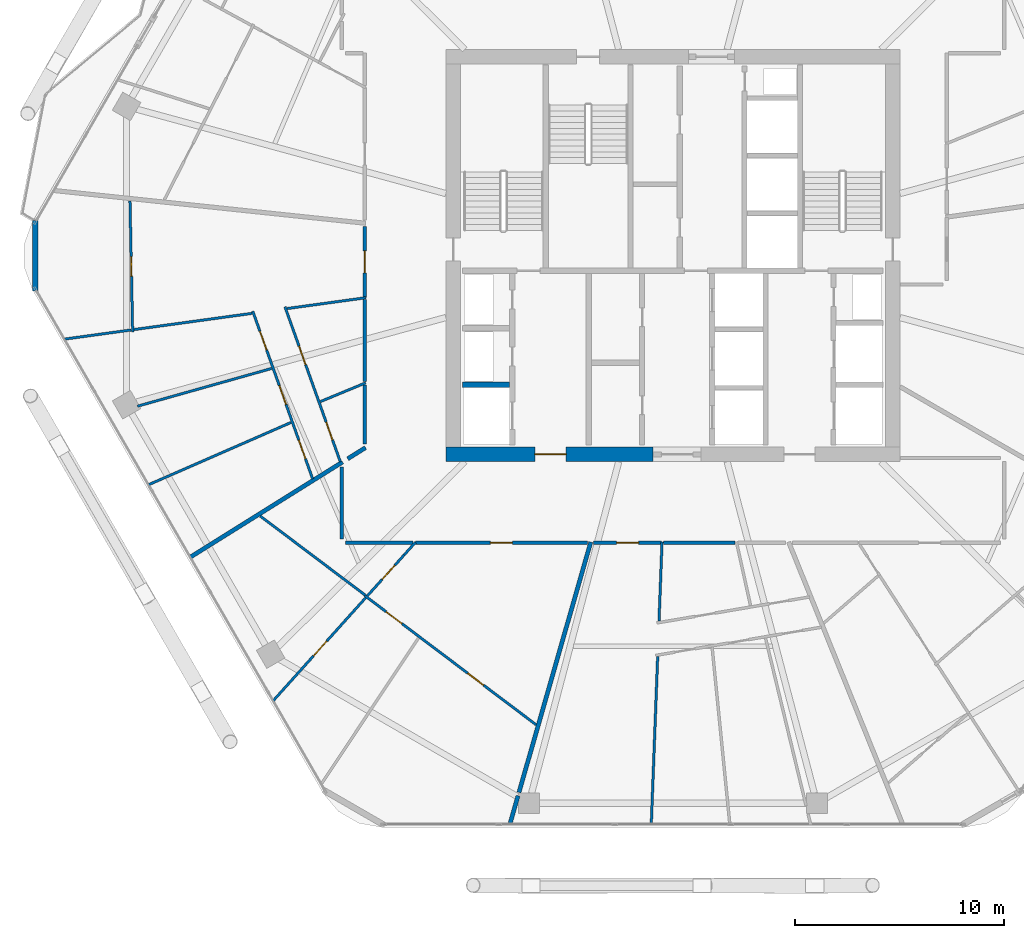
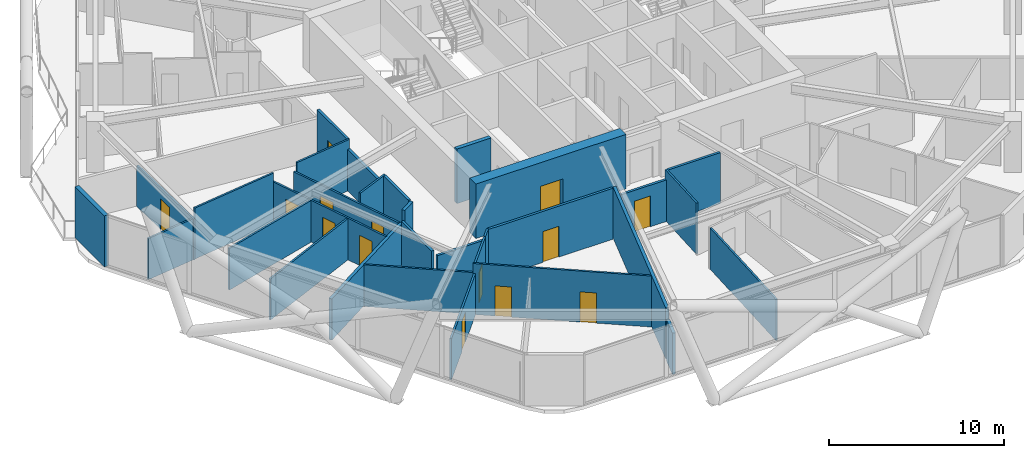
# One storey, part 20 of 28: 31 walls, 14 doors, 14 openings.
"""IFC4 building model written with IfcOpenShell, lengths in metres."""

from ifc_helpers import new_model, si_unit, direction, frame, frame_2d, origin, place, context, subcontext, project, spatial, rectangle, extrude, material, layer, layer_set, type_object, element, fill, save


model = new_model("IFC4")

# Units and contexts
model_context = context("Model", 3, precision=1e-05, world=origin(), true_north=direction((0.0, 1.0)))
body_context = subcontext(model_context, "Body", "Model", "MODEL_VIEW")
ifc_project = project(units=[si_unit("LENGTHUNIT", "METRE"), si_unit("AREAUNIT", "SQUARE_METRE"), si_unit("VOLUMEUNIT", "CUBIC_METRE"), si_unit("PLANEANGLEUNIT", "RADIAN"), si_unit("MASSUNIT", "GRAM", prefix="KILO")], contexts=[model_context])

# Site, building, storey
site_placement = place(None, origin())
site = spatial("IfcSite", under=ifc_project, at=site_placement, CompositionType="ELEMENT")
building_placement = place(site_placement, origin())
building = spatial("IfcBuilding", under=site, at=building_placement, Name="Zuhravey Tower", CompositionType="ELEMENT")
storey_placement = place(building_placement, frame((0.0, 0.0, 154.199951171875)))
storey = spatial("IfcBuildingStorey", under=building, at=storey_placement, Name="L38", CompositionType="ELEMENT", Elevation=154.199951171875)

# Wall, opening, door
ifc_material_1 = material(Name="Concrete C60/75", Category="concrete")
ifc_layer_1 = layer(ifc_material_1, 0.699951171875)
ifc_layer_set_1 = layer_set([ifc_layer_1], Name="Concrete C60/75")
wall_type_1 = type_object("IfcWallType", Name="Core Shear Wall 700", PredefinedType="SHEAR", material=ifc_layer_set_1)
wall_1_placement = place(storey_placement, frame((25.14990234375, 22.5, 0.0), z_axis=(0.0, 0.0, 1.0), x_axis=(1.0, 0.0, 0.0)))
wall_1 = element("IfcWall", 1, at=wall_1_placement, inside=storey, type_object=wall_type_1, Name="L38 South-West Core Shear Wall CW70", PredefinedType="SHEAR", context=body_context, shape_type="SweptSolid", body=[
    extrude(rectangle(XDim=9.900146484375, YDim=0.699951171875, at=frame_2d((4.9501953125, 0.0))), origin(), (0.0, 0.0, 1.0), 3.800048828125),
])
opening_1_placement = place(wall_1_placement, frame((4.25, 0.0, 0.0)))
opening_1 = element("IfcOpeningElement", 2, at=opening_1_placement, cuts=wall_1, Name="Opening FFD1", PredefinedType="OPENING", context=body_context, shape_type="SweptSolid", body=[
    extrude(rectangle(XDim=1.5, YDim=2.14990234375, at=frame_2d((0.75, 1.074951171875))), frame((0.0, 0.362060546875, 0.0), z_axis=(0.0, -1.0, 0.0), x_axis=(1.0, 0.0, 0.0)), (0.0, 0.0, 1.0), 0.723876953125),
])
ifc_material_2 = material(Name="Galvanised fire-rated steel leaf", Category="steel")
door_type_1 = type_object("IfcDoorType", Name="Firefighting Lobby Double Door 1500x2150", OperationType="DOUBLE_DOOR_SINGLE_SWING", PredefinedType="DOOR", material=ifc_material_2)
door_1_placement = place(opening_1_placement, origin())
door_1 = element("IfcDoor", 3, at=door_1_placement, inside=storey, type_object=door_type_1, Name="L38 Firefighting Lobby West Door", OperationType="DOUBLE_DOOR_SINGLE_SWING", OverallHeight=2.14990234375, OverallWidth=1.5, PredefinedType="DOOR", context=body_context, shape_type="SweptSolid", body=[
    extrude(rectangle(XDim=1.5, YDim=2.14990234375, at=frame_2d((0.75, 1.074951171875))), frame((0.0, 0.02490234375, 0.0), z_axis=(0.0, -1.0, 0.0), x_axis=(1.0, 0.0, 0.0)), (0.0, 0.0, 1.0), 0.050048828125),
])
fill(opening_1, door_1)

ifc_material_3 = material(Name="Gypsum fire-rated stud partition")
ifc_layer_2 = layer(ifc_material_3, 0.159912109375)
ifc_layer_set_2 = layer_set([ifc_layer_2], Name="Gypsum fire-rated stud partition")
wall_type_2 = type_object("IfcWallType", Name="Corridor Fire Partition 160", PredefinedType="PARTITIONING", material=ifc_layer_set_2)
wall_2_placement = place(storey_placement, frame((21.27001953125, 33.398193359375, 0.0), z_axis=(0.0, 0.0, 1.0), x_axis=(0.0, -1.0, 0.0)))
wall_2 = element("IfcWall", 4, at=wall_2_placement, inside=storey, type_object=wall_type_2, Name="L38 IW16 Partition 041", PredefinedType="PARTITIONING", context=body_context, shape_type="SweptSolid", body=[
    extrude(rectangle(XDim=3.40087890625, YDim=0.159912109375, at=frame_2d((1.700439453125, 0.0))), origin(), (0.0, 0.0, 1.0), 3.550048828125),
])
opening_2_placement = place(wall_2_placement, frame((1.175537109375, 0.0, 0.0)))
opening_2 = element("IfcOpeningElement", 5, at=opening_2_placement, cuts=wall_2, Name="Opening APD1", PredefinedType="OPENING", context=body_context, shape_type="SweptSolid", body=[
    extrude(rectangle(XDim=1.050048828125, YDim=2.14990234375, at=frame_2d((0.52490234375, 1.074951171875))), frame((0.0, 0.092041015625, 0.0), z_axis=(0.0, -1.0, 0.0), x_axis=(1.0, 0.0, 0.0)), (0.0, 0.0, 1.0), 0.183837890625),
])
ifc_material_4 = material(Name="Solid-core oak fire-rated leaf")
door_type_2 = type_object("IfcDoorType", Name="Apartment Entrance Fire Door 1050x2150", OperationType="NOTDEFINED", PredefinedType="DOOR", material=ifc_material_4)
door_2_placement = place(opening_2_placement, frame((1.050048828125, 0.0, 0.0), z_axis=(0.0, 0.0, 1.0), x_axis=(-1.0, 0.0, 0.0)))
door_2 = element("IfcDoor", 6, at=door_2_placement, inside=storey, type_object=door_type_2, Name="L38 Door 041.1", OperationType="SINGLE_SWING_RIGHT", OverallHeight=2.14990234375, OverallWidth=1.050048828125, PredefinedType="DOOR", context=body_context, shape_type="SweptSolid", body=[
    extrude(rectangle(XDim=1.050048828125, YDim=2.14990234375, at=frame_2d((0.52490234375, 1.074951171875))), frame((0.0, 0.02490234375, 0.0), z_axis=(0.0, -1.0, 0.0), x_axis=(1.0, 0.0, 0.0)), (0.0, 0.0, 1.0), 0.050048828125),
])
fill(opening_2, door_2)

wall_3_placement = place(storey_placement, frame((23.698974609375, 18.27001953125, 0.0), z_axis=(0.0, 0.0, 1.0), x_axis=(1.0, 0.0, 0.0)))
wall_3 = element("IfcWall", 7, at=wall_3_placement, inside=storey, type_object=wall_type_2, Name="L38 IW16 Partition 045", PredefinedType="PARTITIONING", context=body_context, shape_type="SweptSolid", body=[
    extrude(rectangle(XDim=8.213134765625, YDim=0.159912109375, at=frame_2d((4.1064453125, 0.0))), origin(), (0.0, 0.0, 1.0), 3.550048828125),
])
opening_3_placement = place(wall_3_placement, frame((3.58154296875, 0.0, 0.0)))
opening_3 = element("IfcOpeningElement", 8, at=opening_3_placement, cuts=wall_3, Name="Opening APD1", PredefinedType="OPENING", context=body_context, shape_type="SweptSolid", body=[
    extrude(rectangle(XDim=1.050048828125, YDim=2.14990234375, at=frame_2d((0.52490234375, 1.074951171875))), frame((0.0, 0.092041015625, 0.0), z_axis=(0.0, -1.0, 0.0), x_axis=(1.0, 0.0, 0.0)), (0.0, 0.0, 1.0), 0.183837890625),
])
door_3_placement = place(opening_3_placement, frame((1.050048828125, 0.0, 0.0), z_axis=(0.0, 0.0, 1.0), x_axis=(-1.0, 0.0, 0.0)))
door_3 = element("IfcDoor", 9, at=door_3_placement, inside=storey, type_object=door_type_2, Name="L38 Door 045.1", OperationType="SINGLE_SWING_LEFT", OverallHeight=2.14990234375, OverallWidth=1.050048828125, PredefinedType="DOOR", context=body_context, shape_type="SweptSolid", body=[
    extrude(rectangle(XDim=1.050048828125, YDim=2.14990234375, at=frame_2d((0.52490234375, 1.074951171875))), frame((0.0, 0.02490234375, 0.0), z_axis=(0.0, -1.0, 0.0), x_axis=(1.0, 0.0, 0.0)), (0.0, 0.0, 1.0), 0.050048828125),
])
fill(opening_3, door_3)

wall_4_placement = place(storey_placement, frame((32.213134765625, 18.27001953125, 0.0), z_axis=(0.0, 0.0, 1.0), x_axis=(1.0, 0.0, 0.0)))
wall_4 = element("IfcWall", 10, at=wall_4_placement, inside=storey, type_object=wall_type_2, Name="L38 IW16 Partition 048", PredefinedType="PARTITIONING", context=body_context, shape_type="SweptSolid", body=[
    extrude(rectangle(XDim=3.244140625, YDim=0.159912109375, at=frame_2d((1.6220703125, 0.0))), origin(), (0.0, 0.0, 1.0), 2.900146484375),
])
opening_4_placement = place(wall_4_placement, frame((1.09716796875, 0.0, 0.0)))
opening_4 = element("IfcOpeningElement", 11, at=opening_4_placement, cuts=wall_4, Name="Opening APD1", PredefinedType="OPENING", context=body_context, shape_type="SweptSolid", body=[
    extrude(rectangle(XDim=1.050048828125, YDim=2.14990234375, at=frame_2d((0.52490234375, 1.074951171875))), frame((0.0, 0.092041015625, 0.0), z_axis=(0.0, -1.0, 0.0), x_axis=(1.0, 0.0, 0.0)), (0.0, 0.0, 1.0), 0.183837890625),
])
door_4_placement = place(opening_4_placement, frame((1.050048828125, 0.0, 0.0), z_axis=(0.0, 0.0, 1.0), x_axis=(-1.0, 0.0, 0.0)))
door_4 = element("IfcDoor", 12, at=door_4_placement, inside=storey, type_object=door_type_2, Name="L38 Door 048.1", OperationType="SINGLE_SWING_LEFT", OverallHeight=2.14990234375, OverallWidth=1.050048828125, PredefinedType="DOOR", context=body_context, shape_type="SweptSolid", body=[
    extrude(rectangle(XDim=1.050048828125, YDim=2.14990234375, at=frame_2d((0.52490234375, 1.074951171875))), frame((0.0, 0.02490234375, 0.0), z_axis=(0.0, -1.0, 0.0), x_axis=(1.0, 0.0, 0.0)), (0.0, 0.0, 1.0), 0.050048828125),
])
fill(opening_4, door_4)

# Walls
wall_5_placement = place(storey_placement, frame((21.27001953125, 29.908203125, 0.0), z_axis=(0.0, 0.0, 1.0), x_axis=(0.0, -1.0, 0.0)))
element("IfcWall", 13, at=wall_5_placement, inside=storey, type_object=wall_type_2, Name="L38 IW16 Partition 123", PredefinedType="PARTITIONING", context=body_context, shape_type="SweptSolid", body=[
    extrude(rectangle(XDim=3.9365234375, YDim=0.159912109375, at=frame_2d((1.96826171875, 0.0))), origin(), (0.0, 0.0, 1.0), 2.900146484375),
])
wall_6_placement = place(storey_placement, frame((21.27001953125, 25.82470703125, 0.0), z_axis=(0.0, 0.0, 1.0), x_axis=(0.0, -1.0, 0.0)))
element("IfcWall", 14, at=wall_6_placement, inside=storey, type_object=wall_type_2, Name="L38 IW16 Partition 124", PredefinedType="PARTITIONING", context=body_context, shape_type="SweptSolid", body=[
    extrude(rectangle(XDim=2.827880859375, YDim=0.159912109375, at=frame_2d((1.4140625, 0.0))), origin(), (0.0, 0.0, 1.0), 3.550048828125),
])
wall_7_placement = place(storey_placement, frame((20.169921875, 21.8916015625, 0.0), z_axis=(0.0, 0.0, 1.0), x_axis=(0.0, -1.0, 0.0)))
element("IfcWall", 15, at=wall_7_placement, inside=storey, type_object=wall_type_2, Name="L38 IW16 Partition 125", PredefinedType="PARTITIONING", context=body_context, shape_type="SweptSolid", body=[
    extrude(rectangle(XDim=3.441650390625, YDim=0.159912109375, at=frame_2d((1.720703125, 0.0))), origin(), (0.0, 0.0, 1.0), 3.150146484375),
])
wall_8_placement = place(storey_placement, frame((20.35009765625, 18.27001953125, 0.0), z_axis=(0.0, 0.0, 1.0), x_axis=(1.0, 0.0, 0.0)))
element("IfcWall", 16, at=wall_8_placement, inside=storey, type_object=wall_type_2, Name="L38 IW16 Partition 126", PredefinedType="PARTITIONING", context=body_context, shape_type="SweptSolid", body=[
    extrude(rectangle(XDim=3.230712890625, YDim=0.159912109375, at=frame_2d((1.615234375, 0.0))), origin(), (0.0, 0.0, 1.0), 2.900146484375),
])
wall_9_placement = place(storey_placement, frame((35.54541015625, 18.27001953125, 0.0), z_axis=(0.0, 0.0, 1.0), x_axis=(1.0, 0.0, 0.0)))
element("IfcWall", 17, at=wall_9_placement, inside=storey, type_object=wall_type_2, Name="L38 IW16 Partition 127", PredefinedType="PARTITIONING", context=body_context, shape_type="SweptSolid", body=[
    extrude(rectangle(XDim=3.42919921875, YDim=0.159912109375, at=frame_2d((1.714599609375, 0.0))), origin(), (0.0, 0.0, 1.0), 3.550048828125),
])
ifc_material_5 = material(Name="Precast concrete C40/50", Category="concrete")
ifc_layer_3 = layer(ifc_material_5, 0.280029296875)
ifc_layer_set_3 = layer_set([ifc_layer_3], Name="Precast concrete C40/50")
wall_type_3 = type_object("IfcWallType", Name="Crown Architectural Wall 280", PredefinedType="SOLIDWALL", material=ifc_layer_set_3)
wall_10_placement = place(storey_placement, frame((5.5283203125, 30.3173828125, 0.0), z_axis=(0.0, 0.0, 1.0), x_axis=(0.0, 1.0, 0.0)))
element("IfcWall", 18, at=wall_10_placement, inside=storey, type_object=wall_type_3, Name="L38 Rounded Corner Closure Wall EW28-06", PredefinedType="SOLIDWALL", context=body_context, shape_type="SweptSolid", body=[
    extrude(rectangle(XDim=3.365234375, YDim=0.280029296875, at=frame_2d((1.6826171875, 0.0))), origin(), (0.0, 0.0, 1.0), 3.550048828125),
])
ifc_material_6 = material(Name="Concrete C50/60", Category="concrete")
ifc_layer_4 = layer(ifc_material_6, 0.25)
ifc_layer_set_4 = layer_set([ifc_layer_4], Name="Concrete C50/60")
wall_type_4 = type_object("IfcWallType", Name="Firefighting Shaft & Stair Wall 250", PredefinedType="SOLIDWALL", material=ifc_layer_set_4)
wall_11_placement = place(storey_placement, frame((25.949951171875, 25.824951171875, 0.0), z_axis=(0.0, 0.0, 1.0), x_axis=(1.0, 0.0, 0.0)))
element("IfcWall", 19, at=wall_11_placement, inside=storey, type_object=wall_type_4, Name="L38 FW25 Shaft Wall 009", PredefinedType="SOLIDWALL", context=body_context, shape_type="SweptSolid", body=[
    extrude(rectangle(XDim=2.25, YDim=0.25, at=frame_2d((1.125, 0.0))), origin(), (0.0, 0.0, 1.0), 3.800048828125),
])
ifc_material_7 = material(Name="Gypsum double-stud party assembly")
ifc_layer_5 = layer(ifc_material_7, 0.199951171875)
ifc_layer_set_5 = layer_set([ifc_layer_5], Name="Gypsum double-stud party assembly")
wall_type_5 = type_object("IfcWallType", Name="Inter-Tenancy Party Wall 200", PredefinedType="PARTITIONING", material=ifc_layer_set_5)
wall_12_placement = place(storey_placement, frame((21.31005859375, 22.82080078125, 0.0), z_axis=(0.0, 0.0, 1.0), x_axis=(-0.848039384523, -0.529933205506, 0.0)))
element("IfcWall", 20, at=wall_12_placement, inside=storey, type_object=wall_type_5, Name="L38 IW20 Partition 092", PredefinedType="PARTITIONING", context=body_context, shape_type="SweptSolid", body=[
    extrude(rectangle(XDim=1.00146484375, YDim=0.199951171875, at=frame_2d((0.500732421875, 0.0))), origin(), (0.0, 0.0, 1.0), 3.550048828125),
])
wall_13_placement = place(storey_placement, frame((20.2099609375, 22.13330078125, 0.0), z_axis=(0.0, 0.0, 1.0), x_axis=(-0.848051050333, -0.529914536534, 0.0)))
element("IfcWall", 21, at=wall_13_placement, inside=storey, type_object=wall_type_5, Name="L38 IW20 Partition 093", PredefinedType="PARTITIONING", context=body_context, shape_type="SweptSolid", body=[
    extrude(rectangle(XDim=8.580322265625, YDim=0.199951171875, at=frame_2d((4.2900390625, 0.0))), origin(), (0.0, 0.0, 1.0), 2.8701171875),
])
wall_14_placement = place(storey_placement, frame((32.074462890625, 18.31005859375, 0.0), z_axis=(0.0, 0.0, 1.0), x_axis=(-0.275640788156, -0.961260711724, 0.0)))
element("IfcWall", 22, at=wall_14_placement, inside=storey, type_object=wall_type_5, Name="L38 IW20 Partition 097", PredefinedType="PARTITIONING", context=body_context, shape_type="SweptSolid", body=[
    extrude(rectangle(XDim=12.4453125, YDim=0.199951171875, at=frame_2d((6.22265625, 0.0))), origin(), (0.0, 0.0, 1.0), 3.550048828125),
])
wall_15_placement = place(storey_placement, frame((28.597900390625, 6.186279296875, 0.0), z_axis=(0.0, 0.0, 1.0), x_axis=(-0.275581158173, -0.961277808576, 0.0)))
element("IfcWall", 23, at=wall_15_placement, inside=storey, type_object=wall_type_5, Name="L38 IW20 Partition 098", PredefinedType="PARTITIONING", context=body_context, shape_type="SweptSolid", body=[
    extrude(rectangle(XDim=1.424560546875, YDim=0.199951171875, at=frame_2d((0.71240234375, 0.0))), origin(), (0.0, 0.0, 1.0), 2.8701171875),
])

# Wall, opening, door
ifc_material_8 = material(Name="Gypsum metal-stud partition")
ifc_layer_6 = layer(ifc_material_8, 0.1201171875)
ifc_layer_set_6 = layer_set([ifc_layer_6], Name="Gypsum metal-stud partition")
wall_type_6 = type_object("IfcWallType", Name="Unit Internal Partition 120", PredefinedType="PARTITIONING", material=ifc_layer_set_6)
wall_16_placement = place(storey_placement, frame((10.05419921875, 34.598876953125, 0.0), z_axis=(0.0, 0.0, 1.0), x_axis=(0.020243671552, -0.999795075884, 0.0)))
wall_16 = element("IfcWall", 24, at=wall_16_placement, inside=storey, type_object=wall_type_6, Name="L38 IW12 Partition 038", PredefinedType="PARTITIONING", context=body_context, shape_type="SweptSolid", body=[
    extrude(rectangle(XDim=6.2470703125, YDim=0.1201171875, at=frame_2d((3.12353515625, 0.0))), origin(), (0.0, 0.0, 1.0), 2.8701171875),
])
opening_5_placement = place(wall_16_placement, frame((2.6484375, 0.0, 0.0)))
opening_5 = element("IfcOpeningElement", 25, at=opening_5_placement, cuts=wall_16, Name="Opening IND1", PredefinedType="OPENING", context=body_context, shape_type="SweptSolid", body=[
    extrude(rectangle(XDim=0.949951171875, YDim=2.10009765625, at=frame_2d((0.47509765625, 1.050048828125))), frame((0.0, 0.072021484375, 0.0), z_axis=(0.0, -1.0, 0.0), x_axis=(1.0, 0.0, 0.0)), (0.0, 0.0, 1.0), 0.14404296875),
])
ifc_material_9 = material(Name="Painted engineered timber leaf", Category="wood")
door_type_3 = type_object("IfcDoorType", Name="Internal Room & Bedroom Door 950x2100", OperationType="NOTDEFINED", PredefinedType="DOOR", material=ifc_material_9)
door_5_placement = place(opening_5_placement, frame((0.949951171875, 0.0, 0.0), z_axis=(0.0, 0.0, 1.0), x_axis=(-1.0, 0.0, 0.0)))
door_5 = element("IfcDoor", 26, at=door_5_placement, inside=storey, type_object=door_type_3, Name="Apartment L38-05 Family Study Door", OperationType="SINGLE_SWING_RIGHT", OverallHeight=2.10009765625, OverallWidth=0.949951171875, PredefinedType="DOOR", context=body_context, shape_type="SweptSolid", body=[
    extrude(rectangle(XDim=0.949951171875, YDim=2.10009765625, at=frame_2d((0.47509765625, 1.050048828125))), frame((0.0, 0.02490234375, 0.0), z_axis=(0.0, -1.0, 0.0), x_axis=(1.0, 0.0, 0.0)), (0.0, 0.0, 1.0), 0.050048828125),
])
fill(opening_5, door_5)

# Wall, openings, doors
wall_17_placement = place(storey_placement, frame((17.459716796875, 29.5546875, 0.0), z_axis=(0.0, 0.0, 1.0), x_axis=(0.336444483984, -0.941703302106, 0.0)))
wall_17 = element("IfcWall", 27, at=wall_17_placement, inside=storey, type_object=wall_type_6, Name="L38 IW12 Partition 039", PredefinedType="PARTITIONING", context=body_context, shape_type="SweptSolid", body=[
    extrude(rectangle(XDim=7.86962890625, YDim=0.1201171875, at=frame_2d((3.934814453125, 0.0))), origin(), (0.0, 0.0, 1.0), 2.900146484375),
])
opening_6_placement = place(wall_17_placement, frame((1.997314453125, 0.0, 0.0)))
opening_6 = element("IfcOpeningElement", 28, at=opening_6_placement, cuts=wall_17, Name="Opening IND1", PredefinedType="OPENING", context=body_context, shape_type="SweptSolid", body=[
    extrude(rectangle(XDim=0.949951171875, YDim=2.10009765625, at=frame_2d((0.47509765625, 1.050048828125))), frame((0.0, 0.072021484375, 0.0), z_axis=(0.0, -1.0, 0.0), x_axis=(1.0, 0.0, 0.0)), (0.0, 0.0, 1.0), 0.14404296875),
])
opening_7_placement = place(wall_17_placement, frame((5.854736328125, 0.0, 0.0)))
opening_7 = element("IfcOpeningElement", 29, at=opening_7_placement, cuts=wall_17, Name="Opening WCD1", PredefinedType="OPENING", context=body_context, shape_type="SweptSolid", body=[
    extrude(rectangle(XDim=0.89990234375, YDim=2.10009765625, at=frame_2d((0.449951171875, 1.050048828125))), frame((0.0, 0.072021484375, 0.0), z_axis=(0.0, -1.0, 0.0), x_axis=(1.0, 0.0, 0.0)), (0.0, 0.0, 1.0), 0.14404296875),
])
ifc_material_10 = material(Name="Moisture-resistant timber leaf", Category="wood")
door_type_4 = type_object("IfcDoorType", Name="Bathroom & WC Internal Door 900x2100", OperationType="NOTDEFINED", PredefinedType="DOOR", material=ifc_material_10)
door_6_placement = place(opening_7_placement, origin())
door_6 = element("IfcDoor", 30, at=door_6_placement, inside=storey, type_object=door_type_4, Name="Apartment L38-05 Bathroom Door", OperationType="SINGLE_SWING_RIGHT", OverallHeight=2.10009765625, OverallWidth=0.89990234375, PredefinedType="DOOR", context=body_context, shape_type="SweptSolid", body=[
    extrude(rectangle(XDim=0.89990234375, YDim=2.10009765625, at=frame_2d((0.449951171875, 1.050048828125))), frame((0.0, 0.02490234375, 0.0), z_axis=(0.0, -1.0, 0.0), x_axis=(1.0, 0.0, 0.0)), (0.0, 0.0, 1.0), 0.050048828125),
])
fill(opening_7, door_6)
door_7_placement = place(opening_6_placement, origin())
door_7 = element("IfcDoor", 31, at=door_7_placement, inside=storey, type_object=door_type_3, Name="Apartment L38-05 Kitchen Door", OperationType="SINGLE_SWING_LEFT", OverallHeight=2.10009765625, OverallWidth=0.949951171875, PredefinedType="DOOR", context=body_context, shape_type="SweptSolid", body=[
    extrude(rectangle(XDim=0.949951171875, YDim=2.10009765625, at=frame_2d((0.47509765625, 1.050048828125))), frame((0.0, 0.02490234375, 0.0), z_axis=(0.0, -1.0, 0.0), x_axis=(1.0, 0.0, 0.0)), (0.0, 0.0, 1.0), 0.050048828125),
])
fill(opening_6, door_7)

wall_18_placement = place(storey_placement, frame((15.921142578125, 29.34326171875, 0.0), z_axis=(0.0, 0.0, 1.0), x_axis=(0.336440023532, -0.941704895689, 0.0)))
wall_18 = element("IfcWall", 32, at=wall_18_placement, inside=storey, type_object=wall_type_6, Name="L38 IW12 Partition 040", PredefinedType="PARTITIONING", context=body_context, shape_type="SweptSolid", body=[
    extrude(rectangle(XDim=8.5068359375, YDim=0.1201171875, at=frame_2d((4.25341796875, 0.0))), origin(), (0.0, 0.0, 1.0), 2.900146484375),
])
opening_8_placement = place(wall_18_placement, frame((1.0185546875, 0.0, 0.0)))
opening_8 = element("IfcOpeningElement", 33, at=opening_8_placement, cuts=wall_18, Name="Opening IND1", PredefinedType="OPENING", context=body_context, shape_type="SweptSolid", body=[
    extrude(rectangle(XDim=0.949951171875, YDim=2.10009765625, at=frame_2d((0.47509765625, 1.050048828125))), frame((0.0, 0.072021484375, 0.0), z_axis=(0.0, -1.0, 0.0), x_axis=(1.0, 0.0, 0.0)), (0.0, 0.0, 1.0), 0.14404296875),
])
opening_9_placement = place(wall_18_placement, frame((3.778564453125, 0.0, 0.0)))
opening_9 = element("IfcOpeningElement", 34, at=opening_9_placement, cuts=wall_18, Name="Opening IND1", PredefinedType="OPENING", context=body_context, shape_type="SweptSolid", body=[
    extrude(rectangle(XDim=0.949951171875, YDim=2.10009765625, at=frame_2d((0.47509765625, 1.050048828125))), frame((0.0, 0.072021484375, 0.0), z_axis=(0.0, -1.0, 0.0), x_axis=(1.0, 0.0, 0.0)), (0.0, 0.0, 1.0), 0.14404296875),
])
opening_10_placement = place(wall_18_placement, frame((6.538330078125, 0.0, 0.0)))
opening_10 = element("IfcOpeningElement", 35, at=opening_10_placement, cuts=wall_18, Name="Opening IND1", PredefinedType="OPENING", context=body_context, shape_type="SweptSolid", body=[
    extrude(rectangle(XDim=0.949951171875, YDim=2.10009765625, at=frame_2d((0.47509765625, 1.050048828125))), frame((0.0, 0.072021484375, 0.0), z_axis=(0.0, -1.0, 0.0), x_axis=(1.0, 0.0, 0.0)), (0.0, 0.0, 1.0), 0.14404296875),
])
door_8_placement = place(opening_8_placement, frame((0.949951171875, 0.0, 0.0), z_axis=(0.0, 0.0, 1.0), x_axis=(-1.0, 0.0, 0.0)))
door_8 = element("IfcDoor", 36, at=door_8_placement, inside=storey, type_object=door_type_3, Name="Apartment L38-05 Bedroom 1 Door", OperationType="SINGLE_SWING_LEFT", OverallHeight=2.10009765625, OverallWidth=0.949951171875, PredefinedType="DOOR", context=body_context, shape_type="SweptSolid", body=[
    extrude(rectangle(XDim=0.949951171875, YDim=2.10009765625, at=frame_2d((0.47509765625, 1.050048828125))), frame((0.0, 0.02490234375, 0.0), z_axis=(0.0, -1.0, 0.0), x_axis=(1.0, 0.0, 0.0)), (0.0, 0.0, 1.0), 0.050048828125),
])
fill(opening_8, door_8)
door_9_placement = place(opening_9_placement, frame((0.949951171875, 0.0, 0.0), z_axis=(0.0, 0.0, 1.0), x_axis=(-1.0, 0.0, 0.0)))
door_9 = element("IfcDoor", 37, at=door_9_placement, inside=storey, type_object=door_type_3, Name="Apartment L38-05 Bedroom 2 Door", OperationType="SINGLE_SWING_RIGHT", OverallHeight=2.10009765625, OverallWidth=0.949951171875, PredefinedType="DOOR", context=body_context, shape_type="SweptSolid", body=[
    extrude(rectangle(XDim=0.949951171875, YDim=2.10009765625, at=frame_2d((0.47509765625, 1.050048828125))), frame((0.0, 0.02490234375, 0.0), z_axis=(0.0, -1.0, 0.0), x_axis=(1.0, 0.0, 0.0)), (0.0, 0.0, 1.0), 0.050048828125),
])
fill(opening_9, door_9)
door_10_placement = place(opening_10_placement, frame((0.949951171875, 0.0, 0.0), z_axis=(0.0, 0.0, 1.0), x_axis=(-1.0, 0.0, 0.0)))
door_10 = element("IfcDoor", 38, at=door_10_placement, inside=storey, type_object=door_type_3, Name="Apartment L38-05 Bedroom 3 Door", OperationType="SINGLE_SWING_LEFT", OverallHeight=2.10009765625, OverallWidth=0.949951171875, PredefinedType="DOOR", context=body_context, shape_type="SweptSolid", body=[
    extrude(rectangle(XDim=0.949951171875, YDim=2.10009765625, at=frame_2d((0.47509765625, 1.050048828125))), frame((0.0, 0.02490234375, 0.0), z_axis=(0.0, -1.0, 0.0), x_axis=(1.0, 0.0, 0.0)), (0.0, 0.0, 1.0), 0.050048828125),
])
fill(opening_10, door_10)

wall_19_placement = place(storey_placement, frame((21.2744140625, 15.749267578125, 0.0), z_axis=(0.0, 0.0, 1.0), x_axis=(0.798637831458, -0.601811942524, 0.0)))
wall_19 = element("IfcWall", 39, at=wall_19_placement, inside=storey, type_object=wall_type_6, Name="L38 IW12 Partition 042", PredefinedType="PARTITIONING", context=body_context, shape_type="SweptSolid", body=[
    extrude(rectangle(XDim=10.253173828125, YDim=0.1201171875, at=frame_2d((5.12646484375, 0.0))), origin(), (0.0, 0.0, 1.0), 3.550048828125),
])
opening_11_placement = place(wall_19_placement, frame((1.27685546875, 0.0, 0.0)))
opening_11 = element("IfcOpeningElement", 40, at=opening_11_placement, cuts=wall_19, Name="Opening IND1", PredefinedType="OPENING", context=body_context, shape_type="SweptSolid", body=[
    extrude(rectangle(XDim=0.949951171875, YDim=2.10009765625, at=frame_2d((0.47509765625, 1.050048828125))), frame((0.0, 0.072021484375, 0.0), z_axis=(0.0, -1.0, 0.0), x_axis=(1.0, 0.0, 0.0)), (0.0, 0.0, 1.0), 0.14404296875),
])
opening_12_placement = place(wall_19_placement, frame((6.1630859375, 0.0, 0.0)))
opening_12 = element("IfcOpeningElement", 41, at=opening_12_placement, cuts=wall_19, Name="Opening IND1", PredefinedType="OPENING", context=body_context, shape_type="SweptSolid", body=[
    extrude(rectangle(XDim=0.949951171875, YDim=2.10009765625, at=frame_2d((0.47509765625, 1.050048828125))), frame((0.0, 0.072021484375, 0.0), z_axis=(0.0, -1.0, 0.0), x_axis=(1.0, 0.0, 0.0)), (0.0, 0.0, 1.0), 0.14404296875),
])
door_11_placement = place(opening_11_placement, frame((0.949951171875, 0.0, 0.0), z_axis=(0.0, 0.0, 1.0), x_axis=(-1.0, 0.0, 0.0)))
door_11 = element("IfcDoor", 42, at=door_11_placement, inside=storey, type_object=door_type_3, Name="Apartment L38-06 Family Study Door", OperationType="SINGLE_SWING_LEFT", OverallHeight=2.10009765625, OverallWidth=0.949951171875, PredefinedType="DOOR", context=body_context, shape_type="SweptSolid", body=[
    extrude(rectangle(XDim=0.949951171875, YDim=2.10009765625, at=frame_2d((0.47509765625, 1.050048828125))), frame((0.0, 0.02490234375, 0.0), z_axis=(0.0, -1.0, 0.0), x_axis=(1.0, 0.0, 0.0)), (0.0, 0.0, 1.0), 0.050048828125),
])
fill(opening_11, door_11)
door_12_placement = place(opening_12_placement, frame((0.949951171875, 0.0, 0.0), z_axis=(0.0, 0.0, 1.0), x_axis=(-1.0, 0.0, 0.0)))
door_12 = element("IfcDoor", 43, at=door_12_placement, inside=storey, type_object=door_type_3, Name="Apartment L38-06 Dining Room Door", OperationType="SINGLE_SWING_RIGHT", OverallHeight=2.10009765625, OverallWidth=0.949951171875, PredefinedType="DOOR", context=body_context, shape_type="SweptSolid", body=[
    extrude(rectangle(XDim=0.949951171875, YDim=2.10009765625, at=frame_2d((0.47509765625, 1.050048828125))), frame((0.0, 0.02490234375, 0.0), z_axis=(0.0, -1.0, 0.0), x_axis=(1.0, 0.0, 0.0)), (0.0, 0.0, 1.0), 0.050048828125),
])
fill(opening_12, door_12)

# Wall, opening, door
wall_20_placement = place(storey_placement, frame((23.160400390625, 17.699951171875, 0.0), z_axis=(0.0, 0.0, 1.0), x_axis=(-0.668093965752, -0.744076913313, 0.0)))
wall_20 = element("IfcWall", 44, at=wall_20_placement, inside=storey, type_object=wall_type_6, Name="L38 IW12 Partition 043", PredefinedType="PARTITIONING", context=body_context, shape_type="SweptSolid", body=[
    extrude(rectangle(XDim=2.634765625, YDim=0.1201171875, at=frame_2d((1.3173828125, 0.0))), origin(), (0.0, 0.0, 1.0), 3.550048828125),
])
opening_13_placement = place(wall_20_placement, frame((0.682861328125, 0.0, 0.0)))
opening_13 = element("IfcOpeningElement", 45, at=opening_13_placement, cuts=wall_20, Name="Opening WCD1", PredefinedType="OPENING", context=body_context, shape_type="SweptSolid", body=[
    extrude(rectangle(XDim=0.89990234375, YDim=2.10009765625, at=frame_2d((0.449951171875, 1.050048828125))), frame((0.0, 0.072021484375, 0.0), z_axis=(0.0, -1.0, 0.0), x_axis=(1.0, 0.0, 0.0)), (0.0, 0.0, 1.0), 0.14404296875),
])
door_13_placement = place(opening_13_placement, frame((0.89990234375, 0.0, 0.0), z_axis=(0.0, 0.0, 1.0), x_axis=(-1.0, 0.0, 0.0)))
door_13 = element("IfcDoor", 46, at=door_13_placement, inside=storey, type_object=door_type_4, Name="Apartment L38-06 Bathroom Door", OperationType="SINGLE_SWING_LEFT", OverallHeight=2.10009765625, OverallWidth=0.89990234375, PredefinedType="DOOR", context=body_context, shape_type="SweptSolid", body=[
    extrude(rectangle(XDim=0.89990234375, YDim=2.10009765625, at=frame_2d((0.449951171875, 1.050048828125))), frame((0.0, 0.02490234375, 0.0), z_axis=(0.0, -1.0, 0.0), x_axis=(1.0, 0.0, 0.0)), (0.0, 0.0, 1.0), 0.050048828125),
])
fill(opening_13, door_13)

wall_21_placement = place(storey_placement, frame((21.30908203125, 15.63818359375, 0.0), z_axis=(0.0, 0.0, 1.0), x_axis=(-0.668094908061, -0.744076067229, 0.0)))
wall_21 = element("IfcWall", 47, at=wall_21_placement, inside=storey, type_object=wall_type_6, Name="L38 IW12 Partition 044", PredefinedType="PARTITIONING", context=body_context, shape_type="SweptSolid", body=[
    extrude(rectangle(XDim=6.609619140625, YDim=0.1201171875, at=frame_2d((3.3046875, 0.0))), origin(), (0.0, 0.0, 1.0), 2.8701171875),
])
opening_14_placement = place(wall_21_placement, frame((2.767578125, 0.0, 0.0)))
opening_14 = element("IfcOpeningElement", 48, at=opening_14_placement, cuts=wall_21, Name="Opening IND1", PredefinedType="OPENING", context=body_context, shape_type="SweptSolid", body=[
    extrude(rectangle(XDim=0.949951171875, YDim=2.10009765625, at=frame_2d((0.47509765625, 1.050048828125))), frame((0.0, 0.072021484375, 0.0), z_axis=(0.0, -1.0, 0.0), x_axis=(1.0, 0.0, 0.0)), (0.0, 0.0, 1.0), 0.14404296875),
])
door_14_placement = place(opening_14_placement, frame((0.949951171875, 0.0, 0.0), z_axis=(0.0, 0.0, 1.0), x_axis=(-1.0, 0.0, 0.0)))
door_14 = element("IfcDoor", 49, at=door_14_placement, inside=storey, type_object=door_type_3, Name="Apartment L38-06 Bedroom 1 Door", OperationType="SINGLE_SWING_RIGHT", OverallHeight=2.10009765625, OverallWidth=0.949951171875, PredefinedType="DOOR", context=body_context, shape_type="SweptSolid", body=[
    extrude(rectangle(XDim=0.949951171875, YDim=2.10009765625, at=frame_2d((0.47509765625, 1.050048828125))), frame((0.0, 0.02490234375, 0.0), z_axis=(0.0, -1.0, 0.0), x_axis=(1.0, 0.0, 0.0)), (0.0, 0.0, 1.0), 0.050048828125),
])
fill(opening_14, door_14)

# Walls
wall_22_placement = place(storey_placement, frame((21.320068359375, 25.9189453125, 0.0), z_axis=(0.0, 0.0, 1.0), x_axis=(-0.923865947443, -0.382716227975, 0.0)))
element("IfcWall", 50, at=wall_22_placement, inside=storey, type_object=wall_type_6, Name="L38 IW12 Partition 086", PredefinedType="PARTITIONING", context=body_context, shape_type="SweptSolid", body=[
    extrude(rectangle(XDim=2.346923828125, YDim=0.1201171875, at=frame_2d((1.17333984375, 0.0))), origin(), (0.0, 0.0, 1.0), 3.550048828125),
])
wall_23_placement = place(storey_placement, frame((16.826904296875, 26.60595703125, 0.0), z_axis=(0.0, 0.0, 1.0), x_axis=(-0.96262766067, -0.270828334767, 0.0)))
element("IfcWall", 51, at=wall_23_placement, inside=storey, type_object=wall_type_6, Name="L38 IW12 Partition 087", PredefinedType="PARTITIONING", context=body_context, shape_type="SweptSolid", body=[
    extrude(rectangle(XDim=6.66357421875, YDim=0.1201171875, at=frame_2d((3.331787109375, 0.0))), origin(), (0.0, 0.0, 1.0), 2.900146484375),
])
wall_24_placement = place(storey_placement, frame((17.749267578125, 24.02392578125, 0.0), z_axis=(0.0, 0.0, 1.0), x_axis=(-0.916318302779, -0.40045070607, 0.0)))
element("IfcWall", 52, at=wall_24_placement, inside=storey, type_object=wall_type_6, Name="L38 IW12 Partition 088", PredefinedType="PARTITIONING", context=body_context, shape_type="SweptSolid", body=[
    extrude(rectangle(XDim=7.44580078125, YDim=0.1201171875, at=frame_2d((3.722900390625, 0.0))), origin(), (0.0, 0.0, 1.0), 2.8701171875),
])
wall_25_placement = place(storey_placement, frame((21.319580078125, 29.98388671875, 0.0), z_axis=(0.0, 0.0, 1.0), x_axis=(-0.990693713304, -0.136110126076, 0.0)))
element("IfcWall", 53, at=wall_25_placement, inside=storey, type_object=wall_type_6, Name="L38 IW12 Partition 089", PredefinedType="PARTITIONING", context=body_context, shape_type="SweptSolid", body=[
    extrude(rectangle(XDim=3.7919921875, YDim=0.1201171875, at=frame_2d((1.89599609375, 0.0))), origin(), (0.0, 0.0, 1.0), 3.550048828125),
])
wall_26_placement = place(storey_placement, frame((15.88671875, 29.23779296875, 0.0), z_axis=(0.0, 0.0, 1.0), x_axis=(-0.990693446478, -0.136112068181, 0.0)))
element("IfcWall", 54, at=wall_26_placement, inside=storey, type_object=wall_type_6, Name="L38 IW12 Partition 090", PredefinedType="PARTITIONING", context=body_context, shape_type="SweptSolid", body=[
    extrude(rectangle(XDim=5.693115234375, YDim=0.1201171875, at=frame_2d((2.8466796875, 0.0))), origin(), (0.0, 0.0, 1.0), 3.550048828125),
])
wall_27_placement = place(storey_placement, frame((10.11083984375, 28.4443359375, 0.0), z_axis=(0.0, 0.0, 1.0), x_axis=(-0.990699601651, -0.136067260167, 0.0)))
element("IfcWall", 55, at=wall_27_placement, inside=storey, type_object=wall_type_6, Name="L38 IW12 Partition 091", PredefinedType="PARTITIONING", context=body_context, shape_type="SweptSolid", body=[
    extrude(rectangle(XDim=3.2314453125, YDim=0.1201171875, at=frame_2d((1.61572265625, 0.0))), origin(), (0.0, 0.0, 1.0), 2.8701171875),
])
wall_28_placement = place(storey_placement, frame((23.698974609375, 18.2998046875, 0.0), z_axis=(0.0, 0.0, 1.0), x_axis=(-0.668077469972, -0.744091724262, 0.0)))
element("IfcWall", 56, at=wall_28_placement, inside=storey, type_object=wall_type_6, Name="L38 IW12 Partition 095", PredefinedType="PARTITIONING", context=body_context, shape_type="SweptSolid", body=[
    extrude(rectangle(XDim=0.80615234375, YDim=0.1201171875, at=frame_2d((0.403076171875, 0.0))), origin(), (0.0, 0.0, 1.0), 3.550048828125),
])
wall_29_placement = place(storey_placement, frame((16.281005859375, 19.55078125, 0.0), z_axis=(0.0, 0.0, 1.0), x_axis=(0.798630108131, -0.60182219167, 0.0)))
element("IfcWall", 57, at=wall_29_placement, inside=storey, type_object=wall_type_6, Name="L38 IW12 Partition 096", PredefinedType="PARTITIONING", context=body_context, shape_type="SweptSolid", body=[
    extrude(rectangle(XDim=6.275634765625, YDim=0.1201171875, at=frame_2d((3.1376953125, 0.0))), origin(), (0.0, 0.0, 1.0), 2.900146484375),
])
wall_30_placement = place(storey_placement, frame((35.479248046875, 18.320068359375, 0.0), z_axis=(0.0, 0.0, 1.0), x_axis=(-0.03804986936, -0.999275841518, 0.0)))
element("IfcWall", 58, at=wall_30_placement, inside=storey, type_object=wall_type_6, Name="L38 IW12 Partition 103", PredefinedType="PARTITIONING", context=body_context, shape_type="SweptSolid", body=[
    extrude(rectangle(XDim=3.7919921875, YDim=0.1201171875, at=frame_2d((1.89599609375, 0.0))), origin(), (0.0, 0.0, 1.0), 3.550048828125),
])
wall_31_placement = place(storey_placement, frame((35.270751953125, 12.83984375, 0.0), z_axis=(0.0, 0.0, 1.0), x_axis=(-0.038054050692, -0.999275682295, 0.0)))
element("IfcWall", 59, at=wall_31_placement, inside=storey, type_object=wall_type_6, Name="L38 IW12 Partition 104", PredefinedType="PARTITIONING", context=body_context, shape_type="SweptSolid", body=[
    extrude(rectangle(XDim=8.038818359375, YDim=0.1201171875, at=frame_2d((4.01953125, 0.0))), origin(), (0.0, 0.0, 1.0), 2.8701171875),
])

save(model, "model.ifc")
